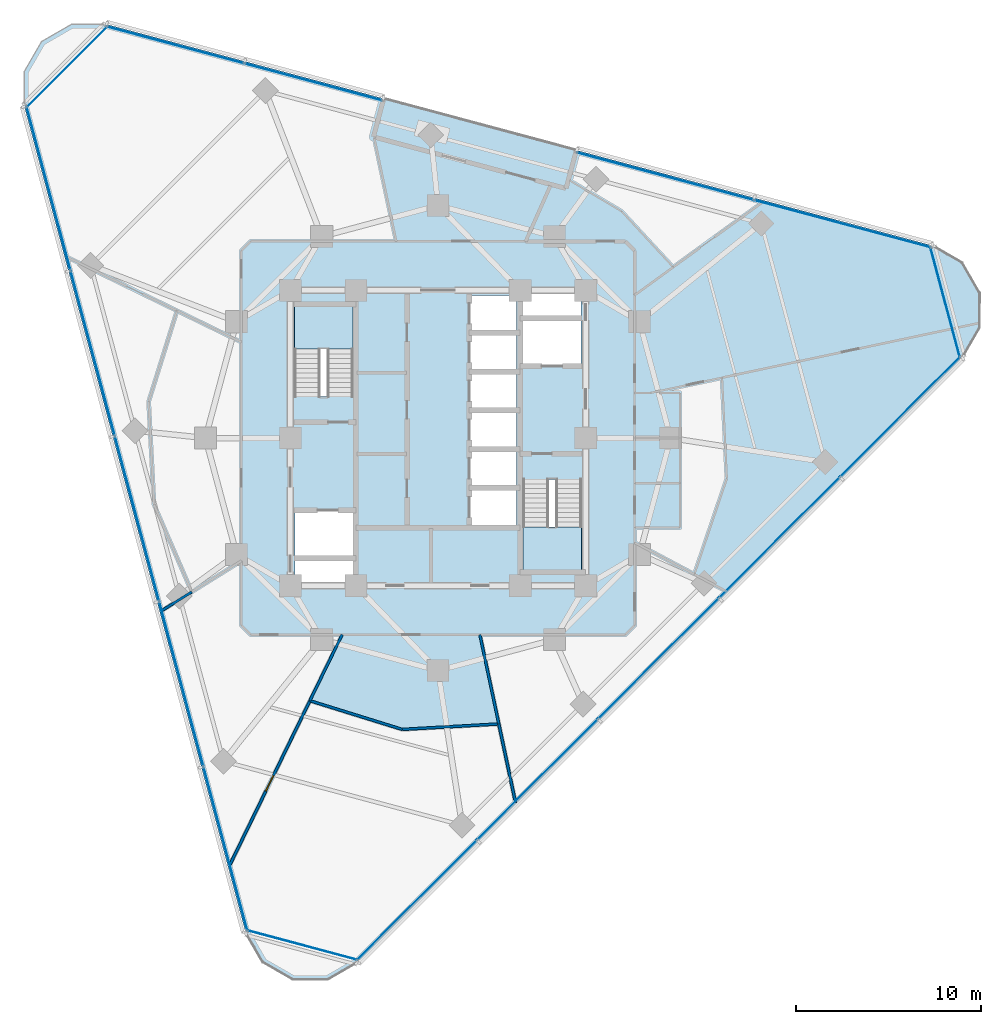
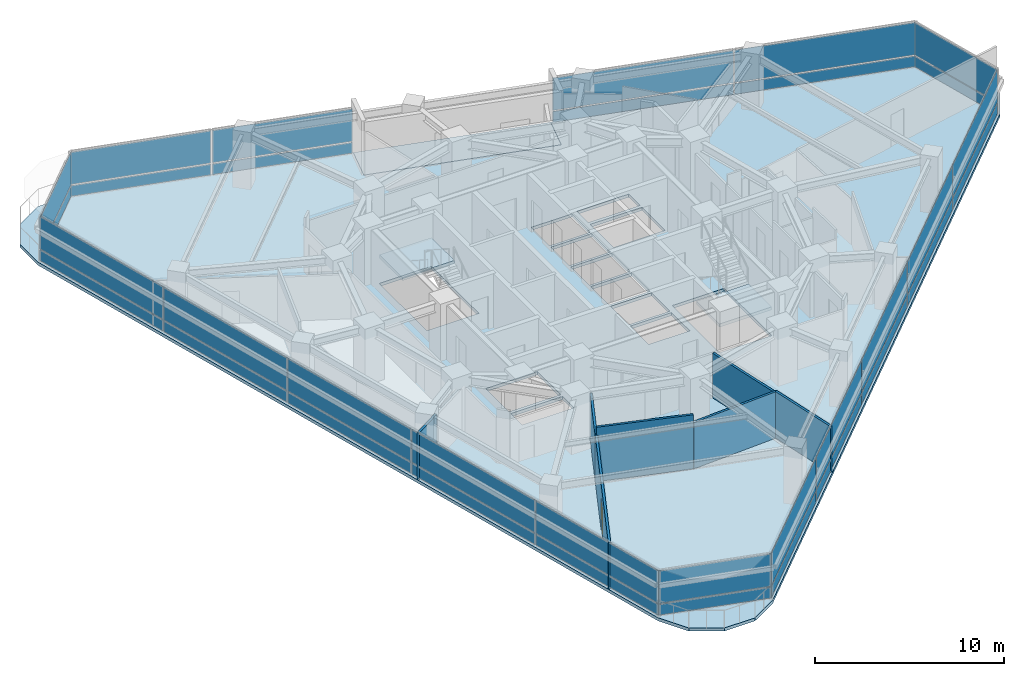
# One storey, part 6 of 14: 34 plates, 7 walls, 4 slabs, 1 door, 1 opening, 9 elements without a shape of their own.
"""IFC4 building model written with IfcOpenShell, lengths in metres."""

from ifc_helpers import new_model, si_unit, direction, frame, frame_2d, origin, origin_2d, place, context, subcontext, project, spatial, polyline, rectangle, outline, extrude, material, layer, layer_set, type_object, element, fill, aggregate, save


model = new_model("IFC4")

# Units and contexts
model_context = context("Model", 3, precision=1e-05, world=origin(), true_north=direction((0.0, 1.0)))
body_context = subcontext(model_context, "Body", "Model", "MODEL_VIEW")
ifc_project = project(units=[si_unit("LENGTHUNIT", "METRE"), si_unit("AREAUNIT", "SQUARE_METRE"), si_unit("VOLUMEUNIT", "CUBIC_METRE"), si_unit("PLANEANGLEUNIT", "RADIAN"), si_unit("MASSUNIT", "GRAM", prefix="KILO")], contexts=[model_context])

# Site, building, storey
site_placement = place(None, origin())
site = spatial("IfcSite", under=ifc_project, at=site_placement, CompositionType="ELEMENT")
building_placement = place(site_placement, origin())
building = spatial("IfcBuilding", under=site, at=building_placement, Name="Terralouvre Media Tower", CompositionType="ELEMENT")
storey_placement = place(building_placement, frame((0.0, 0.0, 191.60009765625)))
storey = spatial("IfcBuildingStorey", under=building, at=storey_placement, Name="L49", CompositionType="ELEMENT", Elevation=191.60009765625)

# Slabs
ifc_material_1 = material(Name="Concrete C40/50", Category="concrete")
ifc_layer_1 = layer(ifc_material_1, 0.199951171875, Name="Composite Tower Floor Slab S-TYP200")
ifc_layer_set_1 = layer_set([ifc_layer_1], Name="Concrete C40/50")
slab_type_1 = type_object("IfcSlabType", Name="Composite Tower Floor Slab S-TYP200", PredefinedType="FLOOR", material=ifc_layer_set_1)
slab_1_placement = place(storey_placement, frame((0.0, 0.0, -0.2001953125), z_axis=(0.0, 0.0, 1.0), x_axis=(0.707106781187, 0.707106781187, 0.0)))
element("IfcSlab", 1, at=slab_1_placement, inside=storey, type_object=slab_type_1, Name="L49 Structural Floor Slab", PredefinedType="FLOOR", context=body_context, shape_type="SweptSolid", body=[
    extrude(outline(polyline([(26.31494140625, -11.572998046875), (16.324951171875, 5.730224609375), (14.463134765625, 4.6552734375), (9.06298828125, 14.00830078125), (10.925048828125, 15.083251953125), (3.135009765625, 28.575927734375), (1.81005859375, 29.90087890625), (0.0, 30.385986328125), (-1.81005859375, 29.90087890625), (-3.135009765625, 28.575927734375), (-26.31494140625, -11.572998046875), (-26.800048828125, -13.383056640625), (-26.31494140625, -15.19287109375), (-24.989990234375, -16.51806640625), (-23.179931640625, -17.0029296875), (23.179931640625, -17.0029296875), (24.989990234375, -16.51806640625), (26.31494140625, -15.19287109375), (26.800048828125, -13.383056640625), (26.31494140625, -11.572998046875)]), holes=[polyline([(-7.919677734375, -1.414306640625), (-8.76806640625, -2.2626953125), (-10.99560546875, -0.035400390625), (-10.14697265625, 0.813232421875), (-7.919677734375, -1.414306640625)]), polyline([(-7.778076171875, -1.272705078125), (-10.005615234375, 0.95458984375), (-8.273193359375, 2.68701171875), (-6.045654296875, 0.459716796875), (-7.778076171875, -1.272705078125)]), polyline([(4.122314453125, -1.887939453125), (2.354736328125, -0.1201171875), (3.7265625, 1.25146484375), (5.494140625, -0.51611328125), (4.122314453125, -1.887939453125)]), polyline([(6.979248046875, 0.96875), (5.607421875, -0.403076171875), (3.839599609375, 1.36474609375), (5.21142578125, 2.736572265625), (6.979248046875, 0.96875)]), polyline([(-1.665283203125, 4.840087890625), (-3.913818359375, 7.0888671875), (-0.36767578125, 10.634765625), (1.880859375, 8.38623046875), (-1.665283203125, 4.840087890625)]), polyline([(7.09228515625, 1.081787109375), (5.324462890625, 2.849609375), (6.6962890625, 4.221435546875), (8.464111328125, 2.45361328125), (7.09228515625, 1.081787109375)]), polyline([(-1.880859375, -8.38623046875), (1.665283203125, -4.840087890625), (3.913818359375, -7.0888671875), (0.36767578125, -10.634765625), (-1.880859375, -8.38623046875)]), polyline([(-0.332275390625, -6.3427734375), (-2.10009765625, -4.574951171875), (-0.728271484375, -3.203125), (1.03955078125, -4.970947265625), (-0.332275390625, -6.3427734375)]), polyline([(1.152587890625, -4.85791015625), (-0.615234375, -3.090087890625), (0.756591796875, -1.71826171875), (2.5244140625, -3.486083984375), (1.152587890625, -4.85791015625)]), polyline([(4.00927734375, -2.001220703125), (2.637451171875, -3.372802734375), (0.86962890625, -1.605224609375), (2.241455078125, -0.2333984375), (4.00927734375, -2.001220703125)]), polyline([(8.273193359375, -2.68701171875), (6.045654296875, -0.459716796875), (7.778076171875, 1.272705078125), (10.005615234375, -0.95458984375), (8.273193359375, -2.68701171875)]), polyline([(10.14697265625, -0.813232421875), (7.919677734375, 1.414306640625), (8.76806640625, 2.2626953125), (10.99560546875, 0.035400390625), (10.14697265625, -0.813232421875)])]), origin(), (0.0, 0.0, 1.0), 0.2001953125),
])
ifc_material_2 = material(Name="Concrete C45/55", Category="concrete")
ifc_layer_2 = layer(ifc_material_2, 0.2099609375, Name="Planted Sky-Garden External Deck S-TER210")
ifc_layer_set_2 = layer_set([ifc_layer_2], Name="Concrete C45/55")
slab_type_2 = type_object("IfcSlabType", Name="Planted Sky-Garden External Deck S-TER210", PredefinedType="FLOOR", material=ifc_layer_set_2)
slab_2_placement = place(storey_placement, frame((0.0, 0.0, -0.210205078125), z_axis=(0.0, 0.0, 1.0), x_axis=(0.707106781187, 0.707106781187, 0.0)))
element("IfcSlab", 2, at=slab_2_placement, inside=storey, type_object=slab_type_2, Name="L49 Helical Planted Sky-Garden Deck 10", PredefinedType="FLOOR", context=body_context, shape_type="SweptSolid", body=[
    extrude(outline(polyline([(16.324951171875, 5.730224609375), (10.925048828125, 15.083251953125), (9.06298828125, 14.00830078125), (14.463134765625, 4.6552734375), (16.324951171875, 5.730224609375)])), origin(), (0.0, 0.0, 1.0), 0.210205078125),
])

# Stair, slab
ifc_material_3 = material(Name="Concrete C45/55", Category="concrete")
stair_type_1 = type_object("IfcStairType", Name="Dogleg Stair Assembly ST-01", PredefinedType="HALF_TURN_STAIR", material=ifc_material_3)
stair_1_placement = place(storey_placement, origin())
stair_1 = element("IfcStair", 3, at=stair_1_placement, inside=storey, type_object=stair_type_1, Name="L49 Core Pressurised Exit Stair ST-01", PredefinedType="HALF_TURN_STAIR")
ifc_material_4 = material(Name="Concrete C45/55", Category="concrete")
ifc_layer_3 = layer(ifc_material_4, 0.199951171875, Name="Reinforced Concrete Stair Half-Landing SL-LD1")
ifc_layer_set_3 = layer_set([ifc_layer_3], Name="Concrete C45/55")
slab_type_3 = type_object("IfcSlabType", Name="Reinforced Concrete Stair Half-Landing SL-LD1", PredefinedType="LANDING", material=ifc_layer_set_3)
slab_3_placement = place(storey_placement, frame((0.0, 0.0, 1.64990234375)))
slab_3 = element("IfcSlab", 4, at=slab_3_placement, type_object=slab_type_3, Name="ST-01 landing 1", PredefinedType="LANDING", context=body_context, shape_type="SweptSolid", body=[
    extrude(outline(polyline([(-4.60009765625, 4.820068359375), (-4.60009765625, 7.260009765625), (-7.780029296875, 7.260009765625), (-7.780029296875, 4.820068359375), (-4.60009765625, 4.820068359375)])), origin(), (0.0, 0.0, 1.0), 0.199951171875),
])
aggregate(stair_1, [slab_3])

ifc_material_5 = material(Name="Concrete C45/55", Category="concrete")
stair_type_2 = type_object("IfcStairType", Name="Dogleg Stair Assembly ST-02", PredefinedType="HALF_TURN_STAIR", material=ifc_material_5)
stair_2_placement = place(storey_placement, origin())
stair_2 = element("IfcStair", 5, at=stair_2_placement, inside=storey, type_object=stair_type_2, Name="L49 Core Pressurised Exit Stair ST-02", PredefinedType="HALF_TURN_STAIR")
slab_4_placement = place(storey_placement, frame((0.0, 0.0, 1.64990234375)))
slab_4 = element("IfcSlab", 6, at=slab_4_placement, type_object=slab_type_3, Name="ST-02 landing 1", PredefinedType="LANDING", context=body_context, shape_type="SweptSolid", body=[
    extrude(outline(polyline([(4.60009765625, -4.820068359375), (4.60009765625, -7.260009765625), (7.780029296875, -7.260009765625), (7.780029296875, -4.820068359375), (4.60009765625, -4.820068359375)])), origin(), (0.0, 0.0, 1.0), 0.199951171875),
])
aggregate(stair_2, [slab_4])

# Curtain wall, plates
ifc_material_6 = material(Name="Low-iron laminated double glazing with solar-control coating", Category="glass")
ifc_layer_4 = layer(ifc_material_6, 0.1650390625, Name="Rounded Wind-Corner Curved Glazing CW-04")
ifc_layer_set_4 = layer_set([ifc_layer_4], Name="Low-iron laminated double glazing with solar-control coating")
curtain_wall_type_1 = type_object("IfcCurtainWallType", Name="Rounded Wind-Corner Curved Glazing CW-04", PredefinedType="NOTDEFINED", material=ifc_layer_set_4)
curtain_wall_1_placement = place(storey_placement, origin())
curtain_wall_1 = element("IfcCurtainWall", 7, at=curtain_wall_1_placement, inside=storey, type_object=curtain_wall_type_1, Name="L49 Rounded Wind-Corner Curtain Wall C0", PredefinedType="NOTDEFINED")
ifc_material_7 = material(Name="Low-iron laminated double glazing with solar-control coating", Category="glass")
ifc_layer_5 = layer(ifc_material_7, 0.0400390625, Name="Rounded Corner Laminated Vision Panel CWP-03")
ifc_layer_set_5 = layer_set([ifc_layer_5], Name="Low-iron laminated double glazing with solar-control coating")
plate_type_1 = type_object("IfcPlateType", Name="Rounded Corner Laminated Vision Panel CWP-03", PredefinedType="CURTAIN_PANEL", material=ifc_layer_set_5)
plate_1_placement = place(storey_placement, frame((-7.35986328125, -27.467041015625, 0.074951171875), z_axis=(0.0, 0.0, 1.0), x_axis=(0.965925911218, -0.258818728144, 0.0)))
plate_1 = element("IfcPlate", 8, at=plate_1_placement, type_object=plate_type_1, Name="CW-04 panel 1.1", PredefinedType="CURTAIN_PANEL", context=body_context, shape_type="SweptSolid", body=[
    extrude(rectangle(XDim=6.1201171875, YDim=0.035888671875, at=origin_2d()), origin(), (0.0, 0.0, 1.0), 0.6875),
])
plate_2_placement = place(storey_placement, frame((-7.35986328125, -27.467041015625, 0.83740234375), z_axis=(0.0, 0.0, 1.0), x_axis=(0.965925911218, -0.258818728144, 0.0)))
plate_2 = element("IfcPlate", 9, at=plate_2_placement, type_object=plate_type_1, Name="CW-04 panel 1.2", PredefinedType="CURTAIN_PANEL", context=body_context, shape_type="SweptSolid", body=[
    extrude(rectangle(XDim=6.1201171875, YDim=0.035888671875, at=origin_2d()), origin(), (0.0, 0.0, 1.0), 2.08740234375),
])
aggregate(curtain_wall_1, [plate_1, plate_2])

curtain_wall_2_placement = place(storey_placement, origin())
curtain_wall_2 = element("IfcCurtainWall", 10, at=curtain_wall_2_placement, inside=storey, type_object=curtain_wall_type_1, Name="L49 Rounded Wind-Corner Curtain Wall C1", PredefinedType="NOTDEFINED")
plate_3_placement = place(storey_placement, frame((27.467041015625, 7.35986328125, 0.074951171875), z_axis=(0.0, 0.0, 1.0), x_axis=(-0.258818728144, 0.965925911218, 0.0)))
plate_3 = element("IfcPlate", 11, at=plate_3_placement, type_object=plate_type_1, Name="CW-04 panel 1.1", PredefinedType="CURTAIN_PANEL", context=body_context, shape_type="SweptSolid", body=[
    extrude(rectangle(XDim=6.1201171875, YDim=0.035888671875, at=origin_2d()), origin(), (0.0, 0.0, 1.0), 0.6875),
])
plate_4_placement = place(storey_placement, frame((27.467041015625, 7.35986328125, 0.83740234375), z_axis=(0.0, 0.0, 1.0), x_axis=(-0.258818728144, 0.965925911218, 0.0)))
plate_4 = element("IfcPlate", 12, at=plate_4_placement, type_object=plate_type_1, Name="CW-04 panel 1.2", PredefinedType="CURTAIN_PANEL", context=body_context, shape_type="SweptSolid", body=[
    extrude(rectangle(XDim=6.1201171875, YDim=0.035888671875, at=origin_2d()), origin(), (0.0, 0.0, 1.0), 2.08740234375),
])
aggregate(curtain_wall_2, [plate_3, plate_4])

curtain_wall_3_placement = place(storey_placement, origin())
curtain_wall_3 = element("IfcCurtainWall", 13, at=curtain_wall_3_placement, inside=storey, type_object=curtain_wall_type_1, Name="L49 Rounded Wind-Corner Curtain Wall C2", PredefinedType="NOTDEFINED")
plate_5_placement = place(storey_placement, frame((-20.107177734375, 20.107177734375, 0.074951171875), z_axis=(0.0, 0.0, 1.0), x_axis=(-0.707106781187, -0.707106781187, 0.0)))
plate_5 = element("IfcPlate", 14, at=plate_5_placement, type_object=plate_type_1, Name="CW-04 panel 1.1", PredefinedType="CURTAIN_PANEL", context=body_context, shape_type="SweptSolid", body=[
    extrude(rectangle(XDim=6.1201171875, YDim=0.035888671875, at=origin_2d()), origin(), (0.0, 0.0, 1.0), 0.6875),
])
plate_6_placement = place(storey_placement, frame((-20.107177734375, 20.107177734375, 0.83740234375), z_axis=(0.0, 0.0, 1.0), x_axis=(-0.707106781187, -0.707106781187, 0.0)))
plate_6 = element("IfcPlate", 15, at=plate_6_placement, type_object=plate_type_1, Name="CW-04 panel 1.2", PredefinedType="CURTAIN_PANEL", context=body_context, shape_type="SweptSolid", body=[
    extrude(rectangle(XDim=6.1201171875, YDim=0.035888671875, at=origin_2d()), origin(), (0.0, 0.0, 1.0), 2.08740234375),
])
aggregate(curtain_wall_3, [plate_5, plate_6])

ifc_material_8 = material(Name="Low-iron laminated double glazing with solar-control coating", Category="glass")
ifc_layer_6 = layer(ifc_material_8, 0.1650390625, Name="Production Studio Tower Curtain Wall CW-03")
ifc_layer_set_6 = layer_set([ifc_layer_6], Name="Low-iron laminated double glazing with solar-control coating")
curtain_wall_type_2 = type_object("IfcCurtainWallType", Name="Production Studio Tower Curtain Wall CW-03", PredefinedType="NOTDEFINED", material=ifc_layer_set_6)
curtain_wall_4_placement = place(storey_placement, origin())
curtain_wall_4 = element("IfcCurtainWall", 16, at=curtain_wall_4_placement, inside=storey, type_object=curtain_wall_type_2, Name="L49 Facade Curtain Wall F0", PredefinedType="NOTDEFINED")
ifc_material_9 = material(Name="Low-iron laminated double glazing with solar-control coating", Category="glass")
ifc_layer_7 = layer(ifc_material_9, 0.035888671875, Name="Vision Double-Glazed Unit CWP-01")
ifc_layer_set_7 = layer_set([ifc_layer_7], Name="Low-iron laminated double glazing with solar-control coating")
plate_type_2 = type_object("IfcPlateType", Name="Vision Double-Glazed Unit CWP-01", PredefinedType="CURTAIN_PANEL", material=ifc_layer_set_7)
plate_7_placement = place(storey_placement, frame((-1.161376953125, -25.037353515625, 0.074951171875), z_axis=(0.0, 0.0, 1.0), x_axis=(0.707106781187, 0.707106781187, 0.0)))
plate_7 = element("IfcPlate", 17, at=plate_7_placement, type_object=plate_type_2, Name="CW-03 panel 1.1", PredefinedType="CURTAIN_PANEL", context=body_context, shape_type="SweptSolid", body=[
    extrude(rectangle(XDim=9.159423828125, YDim=0.035888671875, at=origin_2d()), origin(), (0.0, 0.0, 1.0), 0.6875),
])
plate_8_placement = place(storey_placement, frame((-1.161376953125, -25.037353515625, 0.83740234375), z_axis=(0.0, 0.0, 1.0), x_axis=(0.707106781187, 0.707106781187, 0.0)))
plate_8 = element("IfcPlate", 18, at=plate_8_placement, type_object=plate_type_2, Name="CW-03 panel 1.2", PredefinedType="CURTAIN_PANEL", context=body_context, shape_type="SweptSolid", body=[
    extrude(rectangle(XDim=9.159423828125, YDim=0.035888671875, at=origin_2d()), origin(), (0.0, 0.0, 1.0), 2.08740234375),
])
plate_9_placement = place(storey_placement, frame((5.3818359375, -18.494384765625, 0.074951171875), z_axis=(0.0, 0.0, 1.0), x_axis=(0.707106781187, 0.707106781187, 0.0)))
plate_9 = element("IfcPlate", 19, at=plate_9_placement, type_object=plate_type_2, Name="CW-03 panel 2.1", PredefinedType="CURTAIN_PANEL", context=body_context, shape_type="SweptSolid", body=[
    extrude(rectangle(XDim=9.197021484375, YDim=0.035888671875, at=origin_2d()), origin(), (0.0, 0.0, 1.0), 0.6875),
])
plate_10_placement = place(storey_placement, frame((5.3818359375, -18.494384765625, 0.83740234375), z_axis=(0.0, 0.0, 1.0), x_axis=(0.707106781187, 0.707106781187, 0.0)))
plate_10 = element("IfcPlate", 20, at=plate_10_placement, type_object=plate_type_2, Name="CW-03 panel 2.2", PredefinedType="CURTAIN_PANEL", context=body_context, shape_type="SweptSolid", body=[
    extrude(rectangle(XDim=9.197021484375, YDim=0.035888671875, at=origin_2d()), origin(), (0.0, 0.0, 1.0), 2.08740234375),
])
plate_11_placement = place(storey_placement, frame((11.93798828125, -11.93798828125, 0.074951171875), z_axis=(0.0, 0.0, 1.0), x_axis=(0.707106781187, 0.707106781187, 0.0)))
plate_11 = element("IfcPlate", 21, at=plate_11_placement, type_object=plate_type_2, Name="CW-03 panel 3.1", PredefinedType="CURTAIN_PANEL", context=body_context, shape_type="SweptSolid", body=[
    extrude(rectangle(XDim=9.197021484375, YDim=0.035888671875, at=origin_2d()), origin(), (0.0, 0.0, 1.0), 0.6875),
])
plate_12_placement = place(storey_placement, frame((11.93798828125, -11.93798828125, 0.83740234375), z_axis=(0.0, 0.0, 1.0), x_axis=(0.707106781187, 0.707106781187, 0.0)))
plate_12 = element("IfcPlate", 22, at=plate_12_placement, type_object=plate_type_2, Name="CW-03 panel 3.2", PredefinedType="CURTAIN_PANEL", context=body_context, shape_type="SweptSolid", body=[
    extrude(rectangle(XDim=9.197021484375, YDim=0.035888671875, at=origin_2d()), origin(), (0.0, 0.0, 1.0), 2.08740234375),
])
plate_13_placement = place(storey_placement, frame((18.494384765625, -5.3818359375, 0.074951171875), z_axis=(0.0, 0.0, 1.0), x_axis=(0.707106781187, 0.707106781187, 0.0)))
plate_13 = element("IfcPlate", 23, at=plate_13_placement, type_object=plate_type_2, Name="CW-03 panel 4.1", PredefinedType="CURTAIN_PANEL", context=body_context, shape_type="SweptSolid", body=[
    extrude(rectangle(XDim=9.197021484375, YDim=0.035888671875, at=origin_2d()), origin(), (0.0, 0.0, 1.0), 0.6875),
])
plate_14_placement = place(storey_placement, frame((18.494384765625, -5.3818359375, 0.83740234375), z_axis=(0.0, 0.0, 1.0), x_axis=(0.707106781187, 0.707106781187, 0.0)))
plate_14 = element("IfcPlate", 24, at=plate_14_placement, type_object=plate_type_2, Name="CW-03 panel 4.2", PredefinedType="CURTAIN_PANEL", context=body_context, shape_type="SweptSolid", body=[
    extrude(rectangle(XDim=9.197021484375, YDim=0.035888671875, at=origin_2d()), origin(), (0.0, 0.0, 1.0), 2.08740234375),
])
plate_15_placement = place(storey_placement, frame((25.037353515625, 1.161376953125, 0.074951171875), z_axis=(0.0, 0.0, 1.0), x_axis=(0.707106781187, 0.707106781187, 0.0)))
plate_15 = element("IfcPlate", 25, at=plate_15_placement, type_object=plate_type_2, Name="CW-03 panel 5.1", PredefinedType="CURTAIN_PANEL", context=body_context, shape_type="SweptSolid", body=[
    extrude(rectangle(XDim=9.159423828125, YDim=0.035888671875, at=origin_2d()), origin(), (0.0, 0.0, 1.0), 0.6875),
])
plate_16_placement = place(storey_placement, frame((25.037353515625, 1.161376953125, 0.83740234375), z_axis=(0.0, 0.0, 1.0), x_axis=(0.707106781187, 0.707106781187, 0.0)))
plate_16 = element("IfcPlate", 26, at=plate_16_placement, type_object=plate_type_2, Name="CW-03 panel 5.2", PredefinedType="CURTAIN_PANEL", context=body_context, shape_type="SweptSolid", body=[
    extrude(rectangle(XDim=9.159423828125, YDim=0.035888671875, at=origin_2d()), origin(), (0.0, 0.0, 1.0), 2.08740234375),
])
aggregate(curtain_wall_4, [plate_7, plate_8, plate_9, plate_10, plate_11, plate_12, plate_13, plate_14, plate_15, plate_16])

curtain_wall_5_placement = place(storey_placement, origin())
curtain_wall_5 = element("IfcCurtainWall", 27, at=curtain_wall_5_placement, inside=storey, type_object=curtain_wall_type_2, Name="L49 Left Flank Curtain Wall F1", PredefinedType="NOTDEFINED")
plate_17_placement = place(storey_placement, frame((21.9169921875, 11.60595703125, 0.074951171875), z_axis=(0.0, 0.0, 1.0), x_axis=(-0.965925889535, 0.258818809065, 0.0)))
plate_17 = element("IfcPlate", 28, at=plate_17_placement, type_object=plate_type_2, Name="CW-03 panel 1.1", PredefinedType="CURTAIN_PANEL", context=body_context, shape_type="SweptSolid", body=[
    extrude(rectangle(XDim=9.87744140625, YDim=0.035888671875, at=origin_2d()), origin(), (0.0, 0.0, 1.0), 0.6875),
])
plate_18_placement = place(storey_placement, frame((21.9169921875, 11.60595703125, 0.83740234375), z_axis=(0.0, 0.0, 1.0), x_axis=(-0.965925889535, 0.258818809065, 0.0)))
plate_18 = element("IfcPlate", 29, at=plate_18_placement, type_object=plate_type_2, Name="CW-03 panel 1.2", PredefinedType="CURTAIN_PANEL", context=body_context, shape_type="SweptSolid", body=[
    extrude(rectangle(XDim=9.87744140625, YDim=0.035888671875, at=origin_2d()), origin(), (0.0, 0.0, 1.0), 2.08740234375),
])
plate_19_placement = place(storey_placement, frame((12.303466796875, 14.181884765625, 0.074951171875), z_axis=(0.0, 0.0, 1.0), x_axis=(-0.965925889535, 0.258818809065, 0.0)))
plate_19 = element("IfcPlate", 30, at=plate_19_placement, type_object=plate_type_2, Name="CW-03 panel 2.1", PredefinedType="CURTAIN_PANEL", context=body_context, shape_type="SweptSolid", body=[
    extrude(rectangle(XDim=9.87744140625, YDim=0.035888671875, at=origin_2d()), origin(), (0.0, 0.0, 1.0), 0.6875),
])
plate_20_placement = place(storey_placement, frame((12.303466796875, 14.181884765625, 0.83740234375), z_axis=(0.0, 0.0, 1.0), x_axis=(-0.965925889535, 0.258818809065, 0.0)))
plate_20 = element("IfcPlate", 31, at=plate_20_placement, type_object=plate_type_2, Name="CW-03 panel 2.2", PredefinedType="CURTAIN_PANEL", context=body_context, shape_type="SweptSolid", body=[
    extrude(rectangle(XDim=9.87744140625, YDim=0.035888671875, at=origin_2d()), origin(), (0.0, 0.0, 1.0), 2.08740234375),
])
aggregate(curtain_wall_5, [plate_17, plate_18, plate_19, plate_20])

curtain_wall_6_placement = place(storey_placement, origin())
curtain_wall_6 = element("IfcCurtainWall", 32, at=curtain_wall_6_placement, inside=storey, type_object=curtain_wall_type_2, Name="L49 Right Flank Curtain Wall F1", PredefinedType="NOTDEFINED")
plate_21_placement = place(storey_placement, frame((-6.751708984375, 19.28759765625, 0.074951171875), z_axis=(0.0, 0.0, 1.0), x_axis=(-0.96592581908, 0.258819072009, 0.0)))
plate_21 = element("IfcPlate", 33, at=plate_21_placement, type_object=plate_type_2, Name="CW-03 panel 1.1", PredefinedType="CURTAIN_PANEL", context=body_context, shape_type="SweptSolid", body=[
    extrude(rectangle(XDim=7.677490234375, YDim=0.035888671875, at=origin_2d()), origin(), (0.0, 0.0, 1.0), 0.6875),
])
plate_22_placement = place(storey_placement, frame((-6.751708984375, 19.28759765625, 0.83740234375), z_axis=(0.0, 0.0, 1.0), x_axis=(-0.96592581908, 0.258819072009, 0.0)))
plate_22 = element("IfcPlate", 34, at=plate_22_placement, type_object=plate_type_2, Name="CW-03 panel 1.2", PredefinedType="CURTAIN_PANEL", context=body_context, shape_type="SweptSolid", body=[
    extrude(rectangle(XDim=7.677490234375, YDim=0.035888671875, at=origin_2d()), origin(), (0.0, 0.0, 1.0), 2.08740234375),
])
plate_23_placement = place(storey_placement, frame((-14.240234375, 21.294189453125, 0.074951171875), z_axis=(0.0, 0.0, 1.0), x_axis=(-0.96592581908, 0.258819072009, 0.0)))
plate_23 = element("IfcPlate", 35, at=plate_23_placement, type_object=plate_type_2, Name="CW-03 panel 2.1", PredefinedType="CURTAIN_PANEL", context=body_context, shape_type="SweptSolid", body=[
    extrude(rectangle(XDim=7.677490234375, YDim=0.035888671875, at=origin_2d()), origin(), (0.0, 0.0, 1.0), 0.6875),
])
plate_24_placement = place(storey_placement, frame((-14.240234375, 21.294189453125, 0.83740234375), z_axis=(0.0, 0.0, 1.0), x_axis=(-0.96592581908, 0.258819072009, 0.0)))
plate_24 = element("IfcPlate", 36, at=plate_24_placement, type_object=plate_type_2, Name="CW-03 panel 2.2", PredefinedType="CURTAIN_PANEL", context=body_context, shape_type="SweptSolid", body=[
    extrude(rectangle(XDim=7.677490234375, YDim=0.035888671875, at=origin_2d()), origin(), (0.0, 0.0, 1.0), 2.08740234375),
])
aggregate(curtain_wall_6, [plate_21, plate_22, plate_23, plate_24])

curtain_wall_7_placement = place(storey_placement, origin())
curtain_wall_7 = element("IfcCurtainWall", 37, at=curtain_wall_7_placement, inside=storey, type_object=curtain_wall_type_2, Name="L49 Facade Curtain Wall F2", PredefinedType="NOTDEFINED")
plate_25_placement = place(storey_placement, frame((-21.102294921875, 13.5244140625, 0.074951171875), z_axis=(0.0, 0.0, 1.0), x_axis=(0.25881903342, -0.96592582942, 0.0)))
plate_25 = element("IfcPlate", 38, at=plate_25_placement, type_object=plate_type_2, Name="CW-03 panel 1.1", PredefinedType="CURTAIN_PANEL", context=body_context, shape_type="SweptSolid", body=[
    extrude(rectangle(XDim=9.159423828125, YDim=0.035888671875, at=origin_2d()), origin(), (0.0, 0.0, 1.0), 0.6875),
])
plate_26_placement = place(storey_placement, frame((-21.102294921875, 13.5244140625, 0.83740234375), z_axis=(0.0, 0.0, 1.0), x_axis=(0.25881903342, -0.96592582942, 0.0)))
plate_26 = element("IfcPlate", 39, at=plate_26_placement, type_object=plate_type_2, Name="CW-03 panel 1.2", PredefinedType="CURTAIN_PANEL", context=body_context, shape_type="SweptSolid", body=[
    extrude(rectangle(XDim=9.159423828125, YDim=0.035888671875, at=origin_2d()), origin(), (0.0, 0.0, 1.0), 2.08740234375),
])
plate_27_placement = place(storey_placement, frame((-18.70751953125, 4.58642578125, 0.074951171875), z_axis=(0.0, 0.0, 1.0), x_axis=(0.25881903342, -0.96592582942, 0.0)))
plate_27 = element("IfcPlate", 40, at=plate_27_placement, type_object=plate_type_2, Name="CW-03 panel 2.1", PredefinedType="CURTAIN_PANEL", context=body_context, shape_type="SweptSolid", body=[
    extrude(rectangle(XDim=9.197021484375, YDim=0.035888671875, at=origin_2d()), origin(), (0.0, 0.0, 1.0), 0.6875),
])
plate_28_placement = place(storey_placement, frame((-18.70751953125, 4.58642578125, 0.83740234375), z_axis=(0.0, 0.0, 1.0), x_axis=(0.25881903342, -0.96592582942, 0.0)))
plate_28 = element("IfcPlate", 41, at=plate_28_placement, type_object=plate_type_2, Name="CW-03 panel 2.2", PredefinedType="CURTAIN_PANEL", context=body_context, shape_type="SweptSolid", body=[
    extrude(rectangle(XDim=9.197021484375, YDim=0.035888671875, at=origin_2d()), origin(), (0.0, 0.0, 1.0), 2.08740234375),
])
plate_29_placement = place(storey_placement, frame((-16.3076171875, -4.36962890625, 0.074951171875), z_axis=(0.0, 0.0, 1.0), x_axis=(0.25881903342, -0.96592582942, 0.0)))
plate_29 = element("IfcPlate", 42, at=plate_29_placement, type_object=plate_type_2, Name="CW-03 panel 3.1", PredefinedType="CURTAIN_PANEL", context=body_context, shape_type="SweptSolid", body=[
    extrude(rectangle(XDim=9.197021484375, YDim=0.035888671875, at=origin_2d()), origin(), (0.0, 0.0, 1.0), 0.6875),
])
plate_30_placement = place(storey_placement, frame((-16.3076171875, -4.36962890625, 0.83740234375), z_axis=(0.0, 0.0, 1.0), x_axis=(0.25881903342, -0.96592582942, 0.0)))
plate_30 = element("IfcPlate", 43, at=plate_30_placement, type_object=plate_type_2, Name="CW-03 panel 3.2", PredefinedType="CURTAIN_PANEL", context=body_context, shape_type="SweptSolid", body=[
    extrude(rectangle(XDim=9.197021484375, YDim=0.035888671875, at=origin_2d()), origin(), (0.0, 0.0, 1.0), 2.08740234375),
])
plate_31_placement = place(storey_placement, frame((-13.907958984375, -13.32568359375, 0.074951171875), z_axis=(0.0, 0.0, 1.0), x_axis=(0.25881903342, -0.96592582942, 0.0)))
plate_31 = element("IfcPlate", 44, at=plate_31_placement, type_object=plate_type_2, Name="CW-03 panel 4.1", PredefinedType="CURTAIN_PANEL", context=body_context, shape_type="SweptSolid", body=[
    extrude(rectangle(XDim=9.197021484375, YDim=0.035888671875, at=origin_2d()), origin(), (0.0, 0.0, 1.0), 0.6875),
])
plate_32_placement = place(storey_placement, frame((-13.907958984375, -13.32568359375, 0.83740234375), z_axis=(0.0, 0.0, 1.0), x_axis=(0.25881903342, -0.96592582942, 0.0)))
plate_32 = element("IfcPlate", 45, at=plate_32_placement, type_object=plate_type_2, Name="CW-03 panel 4.2", PredefinedType="CURTAIN_PANEL", context=body_context, shape_type="SweptSolid", body=[
    extrude(rectangle(XDim=9.197021484375, YDim=0.035888671875, at=origin_2d()), origin(), (0.0, 0.0, 1.0), 2.08740234375),
])
plate_33_placement = place(storey_placement, frame((-11.512939453125, -22.263671875, 0.074951171875), z_axis=(0.0, 0.0, 1.0), x_axis=(0.25881903342, -0.96592582942, 0.0)))
plate_33 = element("IfcPlate", 46, at=plate_33_placement, type_object=plate_type_2, Name="CW-03 panel 5.1", PredefinedType="CURTAIN_PANEL", context=body_context, shape_type="SweptSolid", body=[
    extrude(rectangle(XDim=9.159423828125, YDim=0.035888671875, at=origin_2d()), origin(), (0.0, 0.0, 1.0), 0.6875),
])
plate_34_placement = place(storey_placement, frame((-11.512939453125, -22.263671875, 0.83740234375), z_axis=(0.0, 0.0, 1.0), x_axis=(0.25881903342, -0.96592582942, 0.0)))
plate_34 = element("IfcPlate", 47, at=plate_34_placement, type_object=plate_type_2, Name="CW-03 panel 5.2", PredefinedType="CURTAIN_PANEL", context=body_context, shape_type="SweptSolid", body=[
    extrude(rectangle(XDim=9.159423828125, YDim=0.035888671875, at=origin_2d()), origin(), (0.0, 0.0, 1.0), 2.08740234375),
])
aggregate(curtain_wall_7, [plate_25, plate_26, plate_27, plate_28, plate_29, plate_30, plate_31, plate_32, plate_33, plate_34])

# Wall, opening, door
ifc_material_10 = material(Name="Fire-rated gypsum board drywall partition")
ifc_layer_8 = layer(ifc_material_10, 0.135009765625, Name="Newsroom Acoustic Partition PT-135")
ifc_layer_set_8 = layer_set([ifc_layer_8], Name="Fire-rated gypsum board drywall partition")
wall_type = type_object("IfcWallType", Name="Newsroom Acoustic Partition PT-135", PredefinedType="PARTITIONING", material=ifc_layer_set_8)
wall_1_placement = place(storey_placement, frame((-11.3076171875, -23.1845703125, 0.0), z_axis=(0.0, 0.0, 1.0), x_axis=(0.438312605606, 0.898822596382, 0.0)))
wall_1 = element("IfcWall", 48, at=wall_1_placement, inside=storey, type_object=wall_type, Name="L49 Interior Partition 026", PredefinedType="PARTITIONING", context=body_context, shape_type="SweptSolid", body=[
    extrude(rectangle(XDim=9.96484375, YDim=0.135009765625, at=frame_2d((4.982421875, 0.0))), origin(), (0.0, 0.0, 1.0), 2.98486328125),
])
opening_placement = place(wall_1_placement, frame((4.5224609375, 0.0, 0.0)))
opening = element("IfcOpeningElement", 49, at=opening_placement, cuts=wall_1, Name="Opening ID-03-92X210", PredefinedType="OPENING", context=body_context, shape_type="SweptSolid", body=[
    extrude(rectangle(XDim=0.919921875, YDim=2.10009765625, at=frame_2d((0.4599609375, 1.050048828125))), frame((0.0, 0.077392578125, 0.0), z_axis=(0.0, -1.0, 0.0), x_axis=(1.0, 0.0, 0.0)), (0.0, 0.0, 1.0), 0.155029296875),
])
ifc_material_11 = material(Name="Engineered hardwood acoustic timber leaf", Category="wood")
door_type = type_object("IfcDoorType", Name="Accessible Restroom and Suite Door ID-03 (920x2100)", OperationType="NOTDEFINED", PredefinedType="DOOR", material=ifc_material_11)
door_placement = place(opening_placement, origin())
door = element("IfcDoor", 50, at=door_placement, inside=storey, type_object=door_type, Name="L49 Podcast Host Green Lounge 3 Door", OperationType="SINGLE_SWING_LEFT", OverallHeight=2.10009765625, OverallWidth=0.919921875, PredefinedType="DOOR", context=body_context, shape_type="SweptSolid", body=[
    extrude(rectangle(XDim=0.919921875, YDim=2.10009765625, at=frame_2d((0.4599609375, 1.050048828125))), frame((0.0, 0.02490234375, 0.0), z_axis=(0.0, -1.0, 0.0), x_axis=(1.0, 0.0, 0.0)), (0.0, 0.0, 1.0), 0.050048828125),
])
fill(opening, door)

# Walls
wall_2_placement = place(storey_placement, frame((-6.93994140625, -14.22802734375, 0.0), z_axis=(0.0, 0.0, 1.0), x_axis=(0.438509409278, 0.898726598012, 0.0)))
element("IfcWall", 51, at=wall_2_placement, inside=storey, type_object=wall_type, Name="L49 Interior Partition 027", PredefinedType="PARTITIONING", context=body_context, shape_type="SweptSolid", body=[
    extrude(rectangle(XDim=3.9814453125, YDim=0.135009765625, at=frame_2d((1.99072265625, 0.0))), origin(), (0.0, 0.0, 1.0), 2.885009765625),
])
wall_3_placement = place(storey_placement, frame((-13.341064453125, -8.3359375, 0.0), z_axis=(0.0, 0.0, 1.0), x_axis=(-0.848033204961, -0.529943094382, 0.0)))
element("IfcWall", 52, at=wall_3_placement, inside=storey, type_object=wall_type, Name="L49 Interior Partition 028", PredefinedType="PARTITIONING", context=body_context, shape_type="SweptSolid", body=[
    extrude(rectangle(XDim=1.96484375, YDim=0.135009765625, at=frame_2d((0.982421875, 0.0))), origin(), (0.0, 0.0, 1.0), 2.98486328125),
])
wall_4_placement = place(storey_placement, frame((3.291015625, -15.485107421875, 0.0), z_axis=(0.0, 0.0, 1.0), x_axis=(-0.998402738872, -0.056497531026, 0.0)))
element("IfcWall", 53, at=wall_4_placement, inside=storey, type_object=wall_type, Name="L49 Interior Partition 029", PredefinedType="PARTITIONING", context=body_context, shape_type="SweptSolid", body=[
    extrude(rectangle(XDim=5.2373046875, YDim=0.135009765625, at=frame_2d((2.61865234375, 0.0))), origin(), (0.0, 0.0, 1.0), 2.98486328125),
])
wall_5_placement = place(storey_placement, frame((-1.93798828125, -15.781005859375, 0.0), z_axis=(0.0, 0.0, 1.0), x_axis=(-0.955029093749, 0.296512107836, 0.0)))
element("IfcWall", 54, at=wall_5_placement, inside=storey, type_object=wall_type, Name="L49 Interior Partition 030", PredefinedType="PARTITIONING", context=body_context, shape_type="SweptSolid", body=[
    extrude(rectangle(XDim=5.237548828125, YDim=0.135009765625, at=frame_2d((2.61865234375, 0.0))), origin(), (0.0, 0.0, 1.0), 3.5),
])
wall_6_placement = place(storey_placement, frame((4.19482421875, -19.73779296875, 0.0), z_axis=(0.0, 0.0, 1.0), x_axis=(-0.207883605063, 0.978153570124, 0.0)))
element("IfcWall", 55, at=wall_6_placement, inside=storey, type_object=wall_type, Name="L49 Interior Partition 031", PredefinedType="PARTITIONING", context=body_context, shape_type="SweptSolid", body=[
    extrude(rectangle(XDim=4.34765625, YDim=0.135009765625, at=frame_2d((2.173828125, 0.0))), origin(), (0.0, 0.0, 1.0), 2.98486328125),
])
wall_7_placement = place(storey_placement, frame((3.291015625, -15.485107421875, 0.0), z_axis=(0.0, 0.0, 1.0), x_axis=(-0.207784917162, 0.97817453872, 0.0)))
element("IfcWall", 56, at=wall_7_placement, inside=storey, type_object=wall_type, Name="L49 Interior Partition 032", PredefinedType="PARTITIONING", context=body_context, shape_type="SweptSolid", body=[
    extrude(rectangle(XDim=4.943115234375, YDim=0.135009765625, at=frame_2d((2.4716796875, 0.0))), origin(), (0.0, 0.0, 1.0), 2.885009765625),
])

save(model, "model.ifc")
